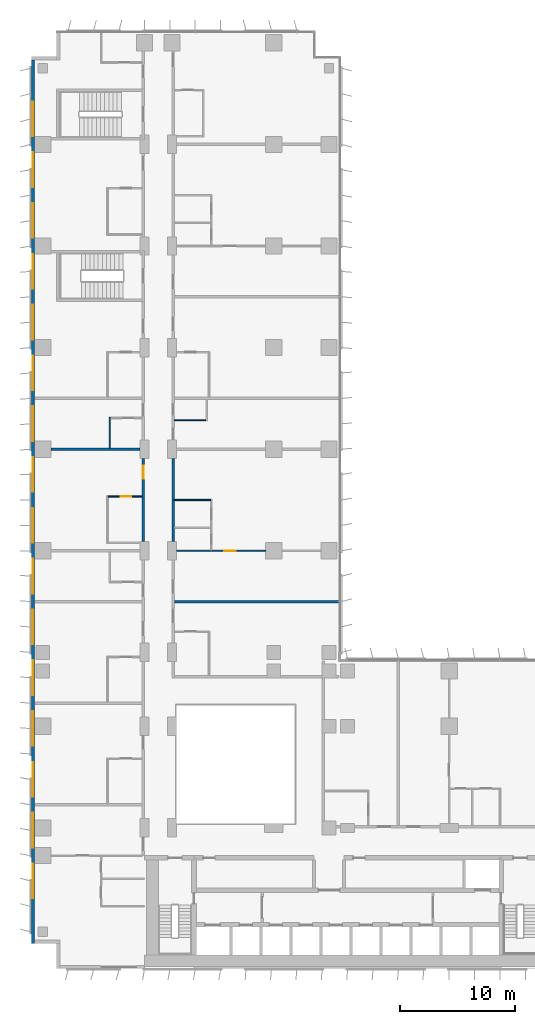
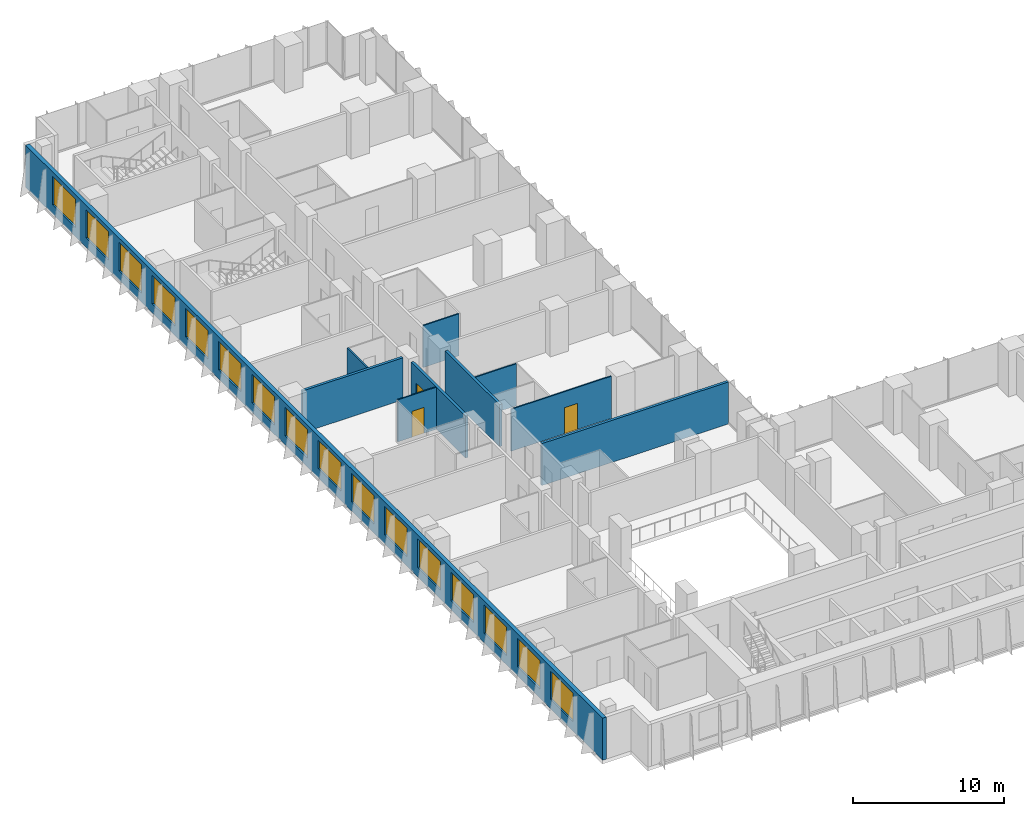
# One storey, part 16 of 24: 16 windows, 10 walls, 3 doors, 19 openings.
"""IFC4 building model written with IfcOpenShell, lengths in metres."""

from ifc_helpers import new_model, si_unit, direction, frame, frame_2d, origin, place, context, subcontext, project, spatial, rectangle, extrude, material, layer, layer_set, type_object, element, fill, save


model = new_model("IFC4")

# Units and contexts
model_context = context("Model", 3, precision=1e-05, world=origin(), true_north=direction((0.0, 1.0)))
body_context = subcontext(model_context, "Body", "Model", "MODEL_VIEW")
ifc_project = project(units=[si_unit("LENGTHUNIT", "METRE"), si_unit("AREAUNIT", "SQUARE_METRE"), si_unit("VOLUMEUNIT", "CUBIC_METRE"), si_unit("PLANEANGLEUNIT", "RADIAN"), si_unit("MASSUNIT", "GRAM", prefix="KILO")], contexts=[model_context])

# Site, building, storey
site_placement = place(None, origin())
site = spatial("IfcSite", under=ifc_project, at=site_placement, CompositionType="ELEMENT")
building_placement = place(site_placement, origin())
building = spatial("IfcBuilding", under=site, at=building_placement, Name="Kemantara Hotel Tower", CompositionType="ELEMENT")
storey_placement = place(building_placement, frame((0.0, 0.0, 45.10009765625)))
storey = spatial("IfcBuildingStorey", under=building, at=storey_placement, Name="L09", CompositionType="ELEMENT", Elevation=45.10009765625)

# Wall, openings, windows
ifc_material_1 = material(Name="Bronze anodised aluminium cladding on insulated steel stud wall", Category="steel")
ifc_layer_1 = layer(ifc_material_1, 0.300048828125)
ifc_layer_set_1 = layer_set([ifc_layer_1], Name="Bronze anodised aluminium cladding on insulated steel stud wall")
wall_type_1 = type_object("IfcWallType", Name="BRONZE METAL-CLAD EXTERNAL WALL 300", PredefinedType="STANDARD", material=ifc_layer_set_1)
wall_1_placement = place(storey_placement, frame((0.14990234375, 78.699951171875, 0.0), z_axis=(0.0, 0.0, 1.0), x_axis=(0.0, -1.0, 0.0)))
wall_1 = element("IfcWall", 1, at=wall_1_placement, inside=storey, type_object=wall_type_1, Name="EXTERNAL WALL L09 T1-R14", PredefinedType="STANDARD", context=body_context, shape_type="SweptSolid", body=[
    extrude(rectangle(XDim=76.5, YDim=0.300048828125, at=frame_2d((38.25, 0.0))), origin(), (0.0, 0.0, 1.0), 3.39990234375),
])
opening_1_placement = place(wall_1_placement, frame((3.60009765625, 0.0, 0.75)))
opening_1 = element("IfcOpeningElement", 2, at=opening_1_placement, cuts=wall_1, Name="Opening W1", PredefinedType="OPENING", context=body_context, shape_type="SweptSolid", body=[
    extrude(rectangle(XDim=3.0, YDim=2.300048828125, at=frame_2d((1.5, 1.14990234375))), frame((0.0, 0.159912109375, 0.0), z_axis=(0.0, -1.0, 0.0), x_axis=(1.0, 0.0, 0.0)), (0.0, 0.0, 1.0), 0.320068359375),
])
opening_2_placement = place(wall_1_placement, frame((8.0, 0.0, 0.75)))
opening_2 = element("IfcOpeningElement", 3, at=opening_2_placement, cuts=wall_1, Name="Opening W1", PredefinedType="OPENING", context=body_context, shape_type="SweptSolid", body=[
    extrude(rectangle(XDim=3.0, YDim=2.300048828125, at=frame_2d((1.5, 1.14990234375))), frame((0.0, 0.159912109375, 0.0), z_axis=(0.0, -1.0, 0.0), x_axis=(1.0, 0.0, 0.0)), (0.0, 0.0, 1.0), 0.320068359375),
])
opening_3_placement = place(wall_1_placement, frame((12.39990234375, 0.0, 0.75)))
opening_3 = element("IfcOpeningElement", 4, at=opening_3_placement, cuts=wall_1, Name="Opening W1", PredefinedType="OPENING", context=body_context, shape_type="SweptSolid", body=[
    extrude(rectangle(XDim=3.0, YDim=2.300048828125, at=frame_2d((1.5, 1.14990234375))), frame((0.0, 0.159912109375, 0.0), z_axis=(0.0, -1.0, 0.0), x_axis=(1.0, 0.0, 0.0)), (0.0, 0.0, 1.0), 0.320068359375),
])
opening_4_placement = place(wall_1_placement, frame((16.800048828125, 0.0, 0.75)))
opening_4 = element("IfcOpeningElement", 5, at=opening_4_placement, cuts=wall_1, Name="Opening W1", PredefinedType="OPENING", context=body_context, shape_type="SweptSolid", body=[
    extrude(rectangle(XDim=3.0, YDim=2.300048828125, at=frame_2d((1.5, 1.14990234375))), frame((0.0, 0.159912109375, 0.0), z_axis=(0.0, -1.0, 0.0), x_axis=(1.0, 0.0, 0.0)), (0.0, 0.0, 1.0), 0.320068359375),
])
opening_5_placement = place(wall_1_placement, frame((21.199951171875, 0.0, 0.75)))
opening_5 = element("IfcOpeningElement", 6, at=opening_5_placement, cuts=wall_1, Name="Opening W1", PredefinedType="OPENING", context=body_context, shape_type="SweptSolid", body=[
    extrude(rectangle(XDim=3.0, YDim=2.300048828125, at=frame_2d((1.5, 1.14990234375))), frame((0.0, 0.159912109375, 0.0), z_axis=(0.0, -1.0, 0.0), x_axis=(1.0, 0.0, 0.0)), (0.0, 0.0, 1.0), 0.320068359375),
])
opening_6_placement = place(wall_1_placement, frame((25.60009765625, 0.0, 0.75)))
opening_6 = element("IfcOpeningElement", 7, at=opening_6_placement, cuts=wall_1, Name="Opening W1", PredefinedType="OPENING", context=body_context, shape_type="SweptSolid", body=[
    extrude(rectangle(XDim=3.0, YDim=2.300048828125, at=frame_2d((1.5, 1.14990234375))), frame((0.0, 0.159912109375, 0.0), z_axis=(0.0, -1.0, 0.0), x_axis=(1.0, 0.0, 0.0)), (0.0, 0.0, 1.0), 0.320068359375),
])
opening_7_placement = place(wall_1_placement, frame((30.0, 0.0, 0.75)))
opening_7 = element("IfcOpeningElement", 8, at=opening_7_placement, cuts=wall_1, Name="Opening W1", PredefinedType="OPENING", context=body_context, shape_type="SweptSolid", body=[
    extrude(rectangle(XDim=3.0, YDim=2.300048828125, at=frame_2d((1.5, 1.14990234375))), frame((0.0, 0.159912109375, 0.0), z_axis=(0.0, -1.0, 0.0), x_axis=(1.0, 0.0, 0.0)), (0.0, 0.0, 1.0), 0.320068359375),
])
opening_8_placement = place(wall_1_placement, frame((34.39990234375, 0.0, 0.75)))
opening_8 = element("IfcOpeningElement", 9, at=opening_8_placement, cuts=wall_1, Name="Opening W1", PredefinedType="OPENING", context=body_context, shape_type="SweptSolid", body=[
    extrude(rectangle(XDim=3.0, YDim=2.300048828125, at=frame_2d((1.5, 1.14990234375))), frame((0.0, 0.159912109375, 0.0), z_axis=(0.0, -1.0, 0.0), x_axis=(1.0, 0.0, 0.0)), (0.0, 0.0, 1.0), 0.320068359375),
])
opening_9_placement = place(wall_1_placement, frame((38.800048828125, 0.0, 0.75)))
opening_9 = element("IfcOpeningElement", 10, at=opening_9_placement, cuts=wall_1, Name="Opening W1", PredefinedType="OPENING", context=body_context, shape_type="SweptSolid", body=[
    extrude(rectangle(XDim=3.0, YDim=2.300048828125, at=frame_2d((1.5, 1.14990234375))), frame((0.0, 0.159912109375, 0.0), z_axis=(0.0, -1.0, 0.0), x_axis=(1.0, 0.0, 0.0)), (0.0, 0.0, 1.0), 0.320068359375),
])
opening_10_placement = place(wall_1_placement, frame((43.199951171875, 0.0, 0.75)))
opening_10 = element("IfcOpeningElement", 11, at=opening_10_placement, cuts=wall_1, Name="Opening W1", PredefinedType="OPENING", context=body_context, shape_type="SweptSolid", body=[
    extrude(rectangle(XDim=3.0, YDim=2.300048828125, at=frame_2d((1.5, 1.14990234375))), frame((0.0, 0.159912109375, 0.0), z_axis=(0.0, -1.0, 0.0), x_axis=(1.0, 0.0, 0.0)), (0.0, 0.0, 1.0), 0.320068359375),
])
opening_11_placement = place(wall_1_placement, frame((47.60009765625, 0.0, 0.75)))
opening_11 = element("IfcOpeningElement", 12, at=opening_11_placement, cuts=wall_1, Name="Opening W1", PredefinedType="OPENING", context=body_context, shape_type="SweptSolid", body=[
    extrude(rectangle(XDim=3.0, YDim=2.300048828125, at=frame_2d((1.5, 1.14990234375))), frame((0.0, 0.159912109375, 0.0), z_axis=(0.0, -1.0, 0.0), x_axis=(1.0, 0.0, 0.0)), (0.0, 0.0, 1.0), 0.320068359375),
])
opening_12_placement = place(wall_1_placement, frame((52.0, 0.0, 0.75)))
opening_12 = element("IfcOpeningElement", 13, at=opening_12_placement, cuts=wall_1, Name="Opening W1", PredefinedType="OPENING", context=body_context, shape_type="SweptSolid", body=[
    extrude(rectangle(XDim=3.0, YDim=2.300048828125, at=frame_2d((1.5, 1.14990234375))), frame((0.0, 0.159912109375, 0.0), z_axis=(0.0, -1.0, 0.0), x_axis=(1.0, 0.0, 0.0)), (0.0, 0.0, 1.0), 0.320068359375),
])
opening_13_placement = place(wall_1_placement, frame((56.39990234375, 0.0, 0.75)))
opening_13 = element("IfcOpeningElement", 14, at=opening_13_placement, cuts=wall_1, Name="Opening W1", PredefinedType="OPENING", context=body_context, shape_type="SweptSolid", body=[
    extrude(rectangle(XDim=3.0, YDim=2.300048828125, at=frame_2d((1.5, 1.14990234375))), frame((0.0, 0.159912109375, 0.0), z_axis=(0.0, -1.0, 0.0), x_axis=(1.0, 0.0, 0.0)), (0.0, 0.0, 1.0), 0.320068359375),
])
opening_14_placement = place(wall_1_placement, frame((60.800048828125, 0.0, 0.75)))
opening_14 = element("IfcOpeningElement", 15, at=opening_14_placement, cuts=wall_1, Name="Opening W1", PredefinedType="OPENING", context=body_context, shape_type="SweptSolid", body=[
    extrude(rectangle(XDim=3.0, YDim=2.300048828125, at=frame_2d((1.5, 1.14990234375))), frame((0.0, 0.159912109375, 0.0), z_axis=(0.0, -1.0, 0.0), x_axis=(1.0, 0.0, 0.0)), (0.0, 0.0, 1.0), 0.320068359375),
])
opening_15_placement = place(wall_1_placement, frame((65.199951171875, 0.0, 0.75)))
opening_15 = element("IfcOpeningElement", 16, at=opening_15_placement, cuts=wall_1, Name="Opening W1", PredefinedType="OPENING", context=body_context, shape_type="SweptSolid", body=[
    extrude(rectangle(XDim=3.0, YDim=2.300048828125, at=frame_2d((1.5, 1.14990234375))), frame((0.0, 0.159912109375, 0.0), z_axis=(0.0, -1.0, 0.0), x_axis=(1.0, 0.0, 0.0)), (0.0, 0.0, 1.0), 0.320068359375),
])
opening_16_placement = place(wall_1_placement, frame((69.60009765625, 0.0, 0.75)))
opening_16 = element("IfcOpeningElement", 17, at=opening_16_placement, cuts=wall_1, Name="Opening W1", PredefinedType="OPENING", context=body_context, shape_type="SweptSolid", body=[
    extrude(rectangle(XDim=3.0, YDim=2.300048828125, at=frame_2d((1.5, 1.14990234375))), frame((0.0, 0.159912109375, 0.0), z_axis=(0.0, -1.0, 0.0), x_axis=(1.0, 0.0, 0.0)), (0.0, 0.0, 1.0), 0.320068359375),
])
ifc_material_2 = material(Name="Low-E tinted double insulated glass in bronze anodised aluminium frame", Category="aluminium")
window_type = type_object("IfcWindowType", Name="CHICAGO WINDOW, TRIPLE PANEL 3000x2300", PartitioningType="TRIPLE_PANEL_VERTICAL", PredefinedType="WINDOW", material=ifc_material_2)
window_1_placement = place(opening_1_placement, origin())
window_1 = element("IfcWindow", 18, at=window_1_placement, inside=storey, type_object=window_type, Name="CHICAGO WINDOW L09 T1-R14-54", OverallHeight=2.300048828125, OverallWidth=3.0, PartitioningType="SINGLE_PANEL", PredefinedType="WINDOW", context=body_context, shape_type="SweptSolid", body=[
    extrude(rectangle(XDim=3.0, YDim=2.300048828125, at=frame_2d((1.5, 1.14990234375))), frame((0.0, 0.030029296875, 0.0), z_axis=(0.0, -1.0, 0.0), x_axis=(1.0, 0.0, 0.0)), (0.0, 0.0, 1.0), 0.06005859375),
])
fill(opening_1, window_1)
window_2_placement = place(opening_2_placement, origin())
window_2 = element("IfcWindow", 19, at=window_2_placement, inside=storey, type_object=window_type, Name="CHICAGO WINDOW L09 T1-R14-98", OverallHeight=2.300048828125, OverallWidth=3.0, PartitioningType="SINGLE_PANEL", PredefinedType="WINDOW", context=body_context, shape_type="SweptSolid", body=[
    extrude(rectangle(XDim=3.0, YDim=2.300048828125, at=frame_2d((1.5, 1.14990234375))), frame((0.0, 0.030029296875, 0.0), z_axis=(0.0, -1.0, 0.0), x_axis=(1.0, 0.0, 0.0)), (0.0, 0.0, 1.0), 0.06005859375),
])
fill(opening_2, window_2)
window_3_placement = place(opening_3_placement, origin())
window_3 = element("IfcWindow", 20, at=window_3_placement, inside=storey, type_object=window_type, Name="CHICAGO WINDOW L09 T1-R14-142", OverallHeight=2.300048828125, OverallWidth=3.0, PartitioningType="SINGLE_PANEL", PredefinedType="WINDOW", context=body_context, shape_type="SweptSolid", body=[
    extrude(rectangle(XDim=3.0, YDim=2.300048828125, at=frame_2d((1.5, 1.14990234375))), frame((0.0, 0.030029296875, 0.0), z_axis=(0.0, -1.0, 0.0), x_axis=(1.0, 0.0, 0.0)), (0.0, 0.0, 1.0), 0.06005859375),
])
fill(opening_3, window_3)
window_4_placement = place(opening_4_placement, origin())
window_4 = element("IfcWindow", 21, at=window_4_placement, inside=storey, type_object=window_type, Name="CHICAGO WINDOW L09 T1-R14-186", OverallHeight=2.300048828125, OverallWidth=3.0, PartitioningType="SINGLE_PANEL", PredefinedType="WINDOW", context=body_context, shape_type="SweptSolid", body=[
    extrude(rectangle(XDim=3.0, YDim=2.300048828125, at=frame_2d((1.5, 1.14990234375))), frame((0.0, 0.030029296875, 0.0), z_axis=(0.0, -1.0, 0.0), x_axis=(1.0, 0.0, 0.0)), (0.0, 0.0, 1.0), 0.06005859375),
])
fill(opening_4, window_4)
window_5_placement = place(opening_5_placement, origin())
window_5 = element("IfcWindow", 22, at=window_5_placement, inside=storey, type_object=window_type, Name="CHICAGO WINDOW L09 T1-R14-230", OverallHeight=2.300048828125, OverallWidth=3.0, PartitioningType="SINGLE_PANEL", PredefinedType="WINDOW", context=body_context, shape_type="SweptSolid", body=[
    extrude(rectangle(XDim=3.0, YDim=2.300048828125, at=frame_2d((1.5, 1.14990234375))), frame((0.0, 0.030029296875, 0.0), z_axis=(0.0, -1.0, 0.0), x_axis=(1.0, 0.0, 0.0)), (0.0, 0.0, 1.0), 0.06005859375),
])
fill(opening_5, window_5)
window_6_placement = place(opening_6_placement, origin())
window_6 = element("IfcWindow", 23, at=window_6_placement, inside=storey, type_object=window_type, Name="CHICAGO WINDOW L09 T1-R14-274", OverallHeight=2.300048828125, OverallWidth=3.0, PartitioningType="SINGLE_PANEL", PredefinedType="WINDOW", context=body_context, shape_type="SweptSolid", body=[
    extrude(rectangle(XDim=3.0, YDim=2.300048828125, at=frame_2d((1.5, 1.14990234375))), frame((0.0, 0.030029296875, 0.0), z_axis=(0.0, -1.0, 0.0), x_axis=(1.0, 0.0, 0.0)), (0.0, 0.0, 1.0), 0.06005859375),
])
fill(opening_6, window_6)
window_7_placement = place(opening_7_placement, origin())
window_7 = element("IfcWindow", 24, at=window_7_placement, inside=storey, type_object=window_type, Name="CHICAGO WINDOW L09 T1-R14-318", OverallHeight=2.300048828125, OverallWidth=3.0, PartitioningType="SINGLE_PANEL", PredefinedType="WINDOW", context=body_context, shape_type="SweptSolid", body=[
    extrude(rectangle(XDim=3.0, YDim=2.300048828125, at=frame_2d((1.5, 1.14990234375))), frame((0.0, 0.030029296875, 0.0), z_axis=(0.0, -1.0, 0.0), x_axis=(1.0, 0.0, 0.0)), (0.0, 0.0, 1.0), 0.06005859375),
])
fill(opening_7, window_7)
window_8_placement = place(opening_8_placement, origin())
window_8 = element("IfcWindow", 25, at=window_8_placement, inside=storey, type_object=window_type, Name="CHICAGO WINDOW L09 T1-R14-362", OverallHeight=2.300048828125, OverallWidth=3.0, PartitioningType="SINGLE_PANEL", PredefinedType="WINDOW", context=body_context, shape_type="SweptSolid", body=[
    extrude(rectangle(XDim=3.0, YDim=2.300048828125, at=frame_2d((1.5, 1.14990234375))), frame((0.0, 0.030029296875, 0.0), z_axis=(0.0, -1.0, 0.0), x_axis=(1.0, 0.0, 0.0)), (0.0, 0.0, 1.0), 0.06005859375),
])
fill(opening_8, window_8)
window_9_placement = place(opening_9_placement, origin())
window_9 = element("IfcWindow", 26, at=window_9_placement, inside=storey, type_object=window_type, Name="CHICAGO WINDOW L09 T1-R14-406", OverallHeight=2.300048828125, OverallWidth=3.0, PartitioningType="SINGLE_PANEL", PredefinedType="WINDOW", context=body_context, shape_type="SweptSolid", body=[
    extrude(rectangle(XDim=3.0, YDim=2.300048828125, at=frame_2d((1.5, 1.14990234375))), frame((0.0, 0.030029296875, 0.0), z_axis=(0.0, -1.0, 0.0), x_axis=(1.0, 0.0, 0.0)), (0.0, 0.0, 1.0), 0.06005859375),
])
fill(opening_9, window_9)
window_10_placement = place(opening_10_placement, origin())
window_10 = element("IfcWindow", 27, at=window_10_placement, inside=storey, type_object=window_type, Name="CHICAGO WINDOW L09 T1-R14-450", OverallHeight=2.300048828125, OverallWidth=3.0, PartitioningType="SINGLE_PANEL", PredefinedType="WINDOW", context=body_context, shape_type="SweptSolid", body=[
    extrude(rectangle(XDim=3.0, YDim=2.300048828125, at=frame_2d((1.5, 1.14990234375))), frame((0.0, 0.030029296875, 0.0), z_axis=(0.0, -1.0, 0.0), x_axis=(1.0, 0.0, 0.0)), (0.0, 0.0, 1.0), 0.06005859375),
])
fill(opening_10, window_10)
window_11_placement = place(opening_11_placement, origin())
window_11 = element("IfcWindow", 28, at=window_11_placement, inside=storey, type_object=window_type, Name="CHICAGO WINDOW L09 T1-R14-494", OverallHeight=2.300048828125, OverallWidth=3.0, PartitioningType="SINGLE_PANEL", PredefinedType="WINDOW", context=body_context, shape_type="SweptSolid", body=[
    extrude(rectangle(XDim=3.0, YDim=2.300048828125, at=frame_2d((1.5, 1.14990234375))), frame((0.0, 0.030029296875, 0.0), z_axis=(0.0, -1.0, 0.0), x_axis=(1.0, 0.0, 0.0)), (0.0, 0.0, 1.0), 0.06005859375),
])
fill(opening_11, window_11)
window_12_placement = place(opening_12_placement, origin())
window_12 = element("IfcWindow", 29, at=window_12_placement, inside=storey, type_object=window_type, Name="CHICAGO WINDOW L09 T1-R14-538", OverallHeight=2.300048828125, OverallWidth=3.0, PartitioningType="SINGLE_PANEL", PredefinedType="WINDOW", context=body_context, shape_type="SweptSolid", body=[
    extrude(rectangle(XDim=3.0, YDim=2.300048828125, at=frame_2d((1.5, 1.14990234375))), frame((0.0, 0.030029296875, 0.0), z_axis=(0.0, -1.0, 0.0), x_axis=(1.0, 0.0, 0.0)), (0.0, 0.0, 1.0), 0.06005859375),
])
fill(opening_12, window_12)
window_13_placement = place(opening_13_placement, origin())
window_13 = element("IfcWindow", 30, at=window_13_placement, inside=storey, type_object=window_type, Name="CHICAGO WINDOW L09 T1-R14-582", OverallHeight=2.300048828125, OverallWidth=3.0, PartitioningType="SINGLE_PANEL", PredefinedType="WINDOW", context=body_context, shape_type="SweptSolid", body=[
    extrude(rectangle(XDim=3.0, YDim=2.300048828125, at=frame_2d((1.5, 1.14990234375))), frame((0.0, 0.030029296875, 0.0), z_axis=(0.0, -1.0, 0.0), x_axis=(1.0, 0.0, 0.0)), (0.0, 0.0, 1.0), 0.06005859375),
])
fill(opening_13, window_13)
window_14_placement = place(opening_14_placement, origin())
window_14 = element("IfcWindow", 31, at=window_14_placement, inside=storey, type_object=window_type, Name="CHICAGO WINDOW L09 T1-R14-626", OverallHeight=2.300048828125, OverallWidth=3.0, PartitioningType="SINGLE_PANEL", PredefinedType="WINDOW", context=body_context, shape_type="SweptSolid", body=[
    extrude(rectangle(XDim=3.0, YDim=2.300048828125, at=frame_2d((1.5, 1.14990234375))), frame((0.0, 0.030029296875, 0.0), z_axis=(0.0, -1.0, 0.0), x_axis=(1.0, 0.0, 0.0)), (0.0, 0.0, 1.0), 0.06005859375),
])
fill(opening_14, window_14)
window_15_placement = place(opening_15_placement, origin())
window_15 = element("IfcWindow", 32, at=window_15_placement, inside=storey, type_object=window_type, Name="CHICAGO WINDOW L09 T1-R14-670", OverallHeight=2.300048828125, OverallWidth=3.0, PartitioningType="SINGLE_PANEL", PredefinedType="WINDOW", context=body_context, shape_type="SweptSolid", body=[
    extrude(rectangle(XDim=3.0, YDim=2.300048828125, at=frame_2d((1.5, 1.14990234375))), frame((0.0, 0.030029296875, 0.0), z_axis=(0.0, -1.0, 0.0), x_axis=(1.0, 0.0, 0.0)), (0.0, 0.0, 1.0), 0.06005859375),
])
fill(opening_15, window_15)
window_16_placement = place(opening_16_placement, origin())
window_16 = element("IfcWindow", 33, at=window_16_placement, inside=storey, type_object=window_type, Name="CHICAGO WINDOW L09 T1-R14-714", OverallHeight=2.300048828125, OverallWidth=3.0, PartitioningType="SINGLE_PANEL", PredefinedType="WINDOW", context=body_context, shape_type="SweptSolid", body=[
    extrude(rectangle(XDim=3.0, YDim=2.300048828125, at=frame_2d((1.5, 1.14990234375))), frame((0.0, 0.030029296875, 0.0), z_axis=(0.0, -1.0, 0.0), x_axis=(1.0, 0.0, 0.0)), (0.0, 0.0, 1.0), 0.06005859375),
])
fill(opening_16, window_16)

# Wall, opening, door
ifc_material_3 = material(Name="Gypsum board partition, steel studs and mineral wool, 200 mm", Category="steel")
ifc_layer_2 = layer(ifc_material_3, 0.199951171875)
ifc_layer_set_2 = layer_set([ifc_layer_2], Name="Gypsum board partition, steel studs and mineral wool, 200 mm")
wall_type_2 = type_object("IfcWallType", Name="CORRIDOR WALL 200", PredefinedType="PARTITIONING", material=ifc_layer_set_2)
wall_2_placement = place(storey_placement, frame((9.699951171875, 37.0, 0.0), z_axis=(0.0, 0.0, 1.0), x_axis=(0.0, 1.0, 0.0)))
wall_2 = element("IfcWall", 34, at=wall_2_placement, inside=storey, type_object=wall_type_2, Name="CORRIDOR WALL 200 028", PredefinedType="PARTITIONING", context=body_context, shape_type="SweptSolid", body=[
    extrude(rectangle(XDim=7.199951171875, YDim=0.199951171875, at=frame_2d((3.60009765625, 0.0))), origin(), (0.0, 0.0, 1.0), 3.39990234375),
])
opening_17_placement = place(wall_2_placement, frame((5.449951171875, 0.0, 0.0)))
opening_17 = element("IfcOpeningElement", 35, at=opening_17_placement, cuts=wall_2, Name="Opening F02-035", PredefinedType="OPENING", context=body_context, shape_type="SweptSolid", body=[
    extrude(rectangle(XDim=1.10009765625, YDim=2.10009765625, at=frame_2d((0.550048828125, 1.050048828125))), frame((0.0, 0.10986328125, 0.0), z_axis=(0.0, -1.0, 0.0), x_axis=(1.0, 0.0, 0.0)), (0.0, 0.0, 1.0), 0.219970703125),
])
ifc_material_4 = material(Name="Hardwood veneer door leaf with steel frame", Category="steel")
door_type_1 = type_object("IfcDoorType", Name="SUITE ENTRANCE DOOR 1100 X 2100 FD30S", OperationType="NOTDEFINED", PredefinedType="DOOR", material=ifc_material_4)
door_1_placement = place(opening_17_placement, origin())
door_1 = element("IfcDoor", 36, at=door_1_placement, inside=storey, type_object=door_type_1, Name="SUITE ENTRANCE DOOR F02-035", OperationType="SINGLE_SWING_RIGHT", OverallHeight=2.10009765625, OverallWidth=1.10009765625, PredefinedType="DOOR", context=body_context, shape_type="SweptSolid", body=[
    extrude(rectangle(XDim=1.10009765625, YDim=2.10009765625, at=frame_2d((0.550048828125, 1.050048828125))), frame((0.0, 0.02490234375, 0.0), z_axis=(0.0, -1.0, 0.0), x_axis=(1.0, 0.0, 0.0)), (0.0, 0.0, 1.0), 0.050048828125),
])
fill(opening_17, door_1)

# Walls
wall_3_placement = place(storey_placement, frame((12.300048828125, 37.0, 0.0), z_axis=(0.0, 0.0, 1.0), x_axis=(0.0, 1.0, 0.0)))
element("IfcWall", 37, at=wall_3_placement, inside=storey, type_object=wall_type_2, Name="CORRIDOR WALL 200 045", PredefinedType="PARTITIONING", context=body_context, shape_type="SweptSolid", body=[
    extrude(rectangle(XDim=7.199951171875, YDim=0.199951171875, at=frame_2d((3.60009765625, 0.0))), origin(), (0.0, 0.0, 1.0), 3.39990234375),
])
ifc_layer_3 = layer(ifc_material_3, 0.199951171875)
ifc_layer_set_3 = layer_set([ifc_layer_3], Name="Gypsum board partition, steel studs and mineral wool, 200 mm")
wall_type_3 = type_object("IfcWallType", Name="GUEST ROOM PARTY WALL 200", PredefinedType="PARTITIONING", material=ifc_layer_set_3)
wall_4_placement = place(storey_placement, frame((12.39990234375, 31.800048828125, 0.0), z_axis=(0.0, 0.0, 1.0), x_axis=(1.0, 0.0, 0.0)))
element("IfcWall", 38, at=wall_4_placement, inside=storey, type_object=wall_type_3, Name="GUEST ROOM PARTY WALL 200 036", PredefinedType="PARTITIONING", context=body_context, shape_type="SweptSolid", body=[
    extrude(rectangle(XDim=14.27001953125, YDim=0.199951171875, at=frame_2d((7.135009765625, 0.0))), origin(), (0.0, 0.0, 1.0), 3.39990234375),
])
wall_5_placement = place(storey_placement, frame((1.7001953125, 45.0, 0.0), z_axis=(0.0, 0.0, 1.0), x_axis=(1.0, 0.0, 0.0)))
element("IfcWall", 39, at=wall_5_placement, inside=storey, type_object=wall_type_3, Name="GUEST ROOM PARTY WALL 200 038", PredefinedType="PARTITIONING", context=body_context, shape_type="SweptSolid", body=[
    extrude(rectangle(XDim=7.69970703125, YDim=0.199951171875, at=frame_2d((3.849853515625, 0.0))), origin(), (0.0, 0.0, 1.0), 3.39990234375),
])
ifc_material_5 = material(Name="Gypsum board partition on steel studs, 100 mm", Category="steel")
ifc_layer_4 = layer(ifc_material_5, 0.10009765625)
ifc_layer_set_4 = layer_set([ifc_layer_4], Name="Gypsum board partition on steel studs, 100 mm")
wall_type_4 = type_object("IfcWallType", Name="ROOM PARTITION 100", PredefinedType="PARTITIONING", material=ifc_layer_set_4)
wall_6_placement = place(storey_placement, frame((6.800048828125, 45.10009765625, 0.0), z_axis=(0.0, 0.0, 1.0), x_axis=(0.0, 1.0, 0.0)))
element("IfcWall", 40, at=wall_6_placement, inside=storey, type_object=wall_type_4, Name="ROOM PARTITION 100 099", PredefinedType="PARTITIONING", context=body_context, shape_type="SweptSolid", body=[
    extrude(rectangle(XDim=2.64990234375, YDim=0.10009765625, at=frame_2d((1.324951171875, 0.0))), origin(), (0.0, 0.0, 1.0), 3.39990234375),
])

# Wall, opening, door
wall_7_placement = place(storey_placement, frame((9.60009765625, 40.89990234375, 0.0), z_axis=(0.0, 0.0, 1.0), x_axis=(-1.0, 0.0, 0.0)))
wall_7 = element("IfcWall", 41, at=wall_7_placement, inside=storey, type_object=wall_type_4, Name="ROOM PARTITION 100 102", PredefinedType="PARTITIONING", context=body_context, shape_type="SweptSolid", body=[
    extrude(rectangle(XDim=2.9501953125, YDim=0.10009765625, at=frame_2d((1.47509765625, 0.0))), origin(), (0.0, 0.0, 1.0), 3.39990234375),
])
opening_18_placement = place(wall_7_placement, frame((0.949951171875, 0.0, 0.0)))
opening_18 = element("IfcOpeningElement", 42, at=opening_18_placement, cuts=wall_7, Name="Opening F02-036", PredefinedType="OPENING", context=body_context, shape_type="SweptSolid", body=[
    extrude(rectangle(XDim=0.89990234375, YDim=2.10009765625, at=frame_2d((0.449951171875, 1.050048828125))), frame((0.0, 0.06005859375, 0.0), z_axis=(0.0, -1.0, 0.0), x_axis=(1.0, 0.0, 0.0)), (0.0, 0.0, 1.0), 0.1201171875),
])
door_type_2 = type_object("IfcDoorType", Name="BATHROOM DOOR 900 X 2100", OperationType="NOTDEFINED", PredefinedType="DOOR", material=ifc_material_4)
door_2_placement = place(opening_18_placement, origin())
door_2 = element("IfcDoor", 43, at=door_2_placement, inside=storey, type_object=door_type_2, Name="BATHROOM DOOR F02-036", OperationType="SINGLE_SWING_LEFT", OverallHeight=2.10009765625, OverallWidth=0.89990234375, PredefinedType="DOOR", context=body_context, shape_type="SweptSolid", body=[
    extrude(rectangle(XDim=0.89990234375, YDim=2.10009765625, at=frame_2d((0.449951171875, 1.050048828125))), frame((0.0, 0.02490234375, 0.0), z_axis=(0.0, -1.0, 0.0), x_axis=(1.0, 0.0, 0.0)), (0.0, 0.0, 1.0), 0.050048828125),
])
fill(opening_18, door_2)

wall_8_placement = place(storey_placement, frame((12.60009765625, 36.199951171875, 0.0), z_axis=(0.0, 0.0, 1.0), x_axis=(1.0, 0.0, 0.0)))
wall_8 = element("IfcWall", 44, at=wall_8_placement, inside=storey, type_object=wall_type_4, Name="ROOM PARTITION 100 114", PredefinedType="PARTITIONING", context=body_context, shape_type="SweptSolid", body=[
    extrude(rectangle(XDim=7.69970703125, YDim=0.10009765625, at=frame_2d((3.849853515625, 0.0))), origin(), (0.0, 0.0, 1.0), 3.39990234375),
])
opening_19_placement = place(wall_8_placement, frame((4.099853515625, 0.0, 0.0)))
opening_19 = element("IfcOpeningElement", 45, at=opening_19_placement, cuts=wall_8, Name="Opening F02-048", PredefinedType="OPENING", context=body_context, shape_type="SweptSolid", body=[
    extrude(rectangle(XDim=1.0, YDim=2.10009765625, at=frame_2d((0.5, 1.050048828125))), frame((0.0, 0.06005859375, 0.0), z_axis=(0.0, -1.0, 0.0), x_axis=(1.0, 0.0, 0.0)), (0.0, 0.0, 1.0), 0.1201171875),
])
door_type_3 = type_object("IfcDoorType", Name="INTERNAL DOOR 1000 X 2100", OperationType="NOTDEFINED", PredefinedType="DOOR", material=ifc_material_4)
door_3_placement = place(opening_19_placement, origin())
door_3 = element("IfcDoor", 46, at=door_3_placement, inside=storey, type_object=door_type_3, Name="INTERNAL DOOR F02-048", OperationType="SINGLE_SWING_LEFT", OverallHeight=2.10009765625, OverallWidth=1.0, PredefinedType="DOOR", context=body_context, shape_type="SweptSolid", body=[
    extrude(rectangle(XDim=1.0, YDim=2.10009765625, at=frame_2d((0.5, 1.050048828125))), frame((0.0, 0.02490234375, 0.0), z_axis=(0.0, -1.0, 0.0), x_axis=(1.0, 0.0, 0.0)), (0.0, 0.0, 1.0), 0.050048828125),
])
fill(opening_19, door_3)

# Walls
wall_9_placement = place(storey_placement, frame((12.39990234375, 40.60009765625, 0.0), z_axis=(0.0, 0.0, 1.0), x_axis=(1.0, 0.0, 0.0)))
element("IfcWall", 47, at=wall_9_placement, inside=storey, type_object=wall_type_4, Name="ROOM PARTITION 100 116", PredefinedType="PARTITIONING", context=body_context, shape_type="SweptSolid", body=[
    extrude(rectangle(XDim=3.150146484375, YDim=0.10009765625, at=frame_2d((1.5751953125, 0.0))), origin(), (0.0, 0.0, 1.0), 3.39990234375),
])
wall_10_placement = place(storey_placement, frame((12.39990234375, 47.5, 0.0), z_axis=(0.0, 0.0, 1.0), x_axis=(1.0, 0.0, 0.0)))
element("IfcWall", 48, at=wall_10_placement, inside=storey, type_object=wall_type_4, Name="ROOM PARTITION 100 119", PredefinedType="PARTITIONING", context=body_context, shape_type="SweptSolid", body=[
    extrude(rectangle(XDim=2.75, YDim=0.10009765625, at=frame_2d((1.375, 0.0))), origin(), (0.0, 0.0, 1.0), 3.39990234375),
])

save(model, "model.ifc")
